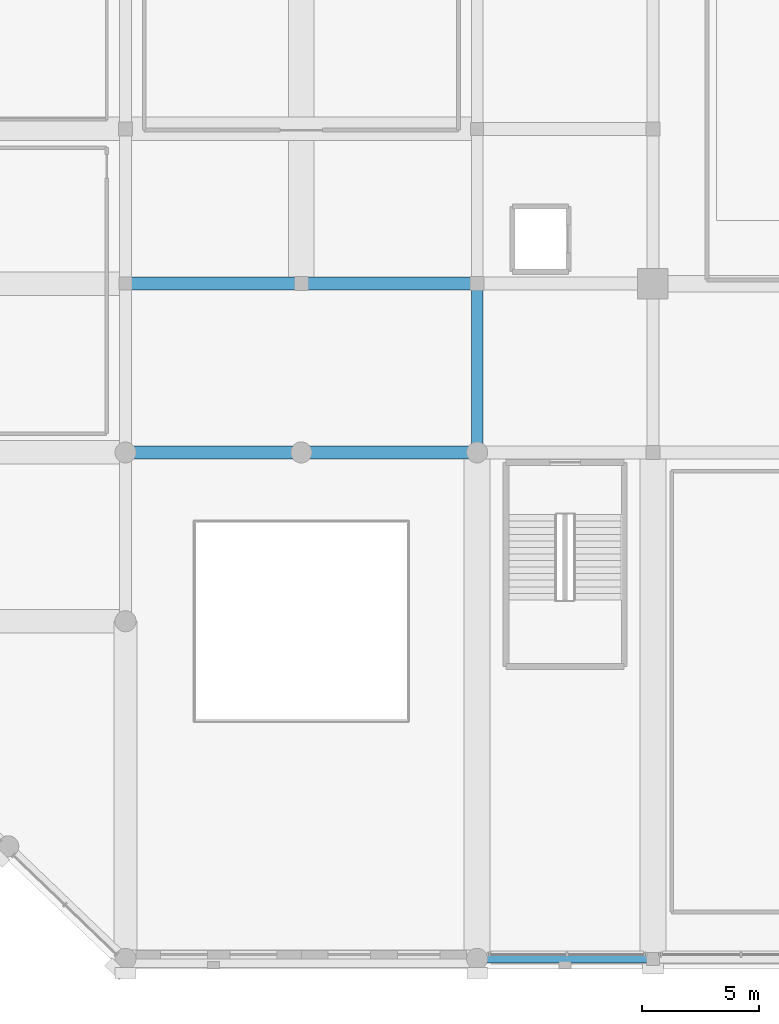
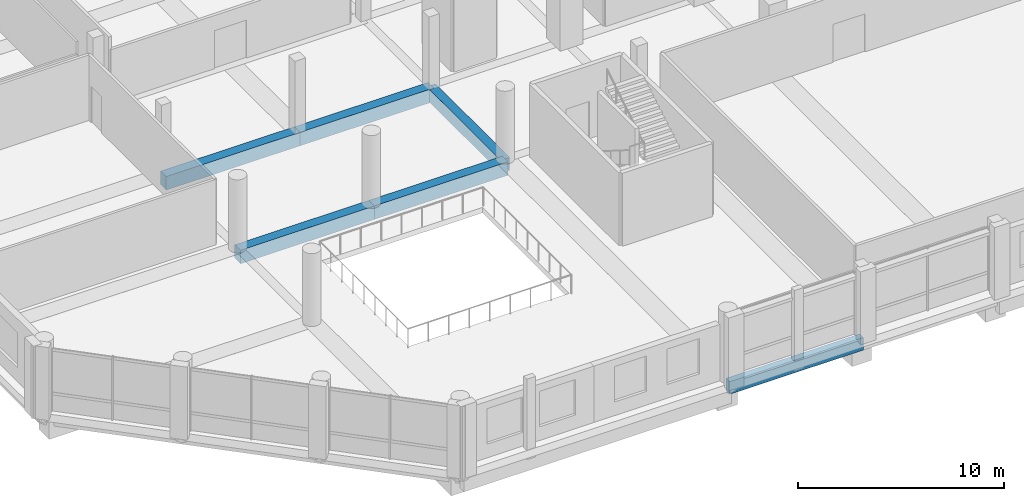
# One storey, part 14 of 68: 6 beams.
"""IFC4 building model written with IfcOpenShell, lengths in metres."""

from ifc_helpers import new_model, si_unit, direction, frame, origin, origin_2d, place, context, subcontext, project, spatial, rectangle, extrude, material, material_profile, profile_set, type_object, element, save


model = new_model("IFC4")

# Units and contexts
model_context = context("Model", 3, precision=1e-05, world=origin(), true_north=direction((0.0, 1.0)))
body_context = subcontext(model_context, "Body", "Model", "MODEL_VIEW")
ifc_project = project(units=[si_unit("LENGTHUNIT", "METRE"), si_unit("AREAUNIT", "SQUARE_METRE"), si_unit("VOLUMEUNIT", "CUBIC_METRE"), si_unit("PLANEANGLEUNIT", "RADIAN"), si_unit("MASSUNIT", "GRAM", prefix="KILO")], contexts=[model_context])

# Site, building, storey
site_placement = place(None, origin())
site = spatial("IfcSite", under=ifc_project, at=site_placement, CompositionType="ELEMENT")
building_placement = place(site_placement, origin())
building = spatial("IfcBuilding", under=site, at=building_placement, Name="Akrevak Sports Hall", CompositionType="ELEMENT")
storey_placement = place(building_placement, frame((0.0, 0.0, 9.39990234375)))
storey = spatial("IfcBuildingStorey", under=building, at=storey_placement, Name="L02", CompositionType="ELEMENT", Elevation=9.39990234375)

# Beams
ifc_material = material(Name="Concrete C40/50", Category="concrete")
ifc_material_profile_1 = material_profile(ifc_material, rectangle(XDim=0.5, YDim=0.75, at=origin_2d()), Name="BM 500x750", Category="concrete")
ifc_profile_set_1 = profile_set([ifc_material_profile_1], Name="Concrete C40/50")
beam_type_1 = type_object("IfcBeamType", Name="STR-BM-RC500x750", PredefinedType="BEAM", material=ifc_profile_set_1)
beam_1_placement = place(storey_placement, frame((30.0, 21.60009765625, -0.375), z_axis=(0.0, 1.0, 0.0), x_axis=(-1.0, 0.0, 0.0)))
element("IfcBeam", 1, at=beam_1_placement, inside=storey, type_object=beam_type_1, Name="Girder 5/D-E (L02)", PredefinedType="BEAM", context=body_context, shape_type="SweptSolid", body=[
    extrude(rectangle(XDim=0.5, YDim=0.75, at=origin_2d()), origin(), (0.0, 0.0, 1.0), 7.199951171875),
])
ifc_material_profile_2 = material_profile(ifc_material, rectangle(XDim=0.550048828125, YDim=0.800048828125, at=origin_2d()), Name="BM 550x800", Category="concrete")
ifc_profile_set_2 = profile_set([ifc_material_profile_2], Name="Concrete C40/50")
beam_type_2 = type_object("IfcBeamType", Name="STR-BM-RC550x800", PredefinedType="BEAM", material=ifc_profile_set_2)
for number, where, z_axis, x_axis, name in (
    (2, (15.0, 21.60009765625, -0.39990234375), (1.0, 0.0, 0.0), (0.0, 1.0, 0.0), "Girder D/3-4 (L02)"),
    (3, (22.5, 21.60009765625, -0.39990234375), (1.0, 0.0, 0.0), (0.0, 1.0, 0.0), "Girder D/4-5 (L02)"),
    (4, (15.0, 28.800048828125, -0.39990234375), (1.0, 0.0, 0.0), (0.0, 1.0, 0.0), "Girder E/3-4 (L02)"),
    (5, (22.5, 28.800048828125, -0.39990234375), (1.0, 0.0, 0.0), (0.0, 1.0, 0.0), "Girder E/4-5 (L02)"),
):
    element("IfcBeam", number, at=place(storey_placement, frame(where, z_axis=z_axis, x_axis=x_axis)), inside=storey, type_object=beam_type_2, Name=name, PredefinedType="BEAM", context=body_context, shape_type="SweptSolid", body=[
        extrude(rectangle(XDim=0.550048828125, YDim=0.800048828125, at=origin_2d()), origin(), (0.0, 0.0, 1.0), 7.5),
    ])
ifc_material_profile_3 = material_profile(ifc_material, rectangle(XDim=0.35009765625, YDim=0.75, at=origin_2d()), Name="SPD 350x750", Category="concrete")
ifc_profile_set_3 = profile_set([ifc_material_profile_3], Name="Concrete C40/50")
beam_type_3 = type_object("IfcBeamType", Name="STR-SPD-RC350x750", PredefinedType="SPANDREL", material=ifc_profile_set_3)
beam_2_placement = place(storey_placement, frame((30.0, 0.0, -0.375), z_axis=(1.0, 0.0, 0.0), x_axis=(0.0, 1.0, 0.0)))
element("IfcBeam", 6, at=beam_2_placement, inside=storey, type_object=beam_type_3, Name="Girder A/5-6 (L02)", PredefinedType="SPANDREL", context=body_context, shape_type="SweptSolid", body=[
    extrude(rectangle(XDim=0.35009765625, YDim=0.75, at=origin_2d()), origin(), (0.0, 0.0, 1.0), 7.5),
])

save(model, "model.ifc")
